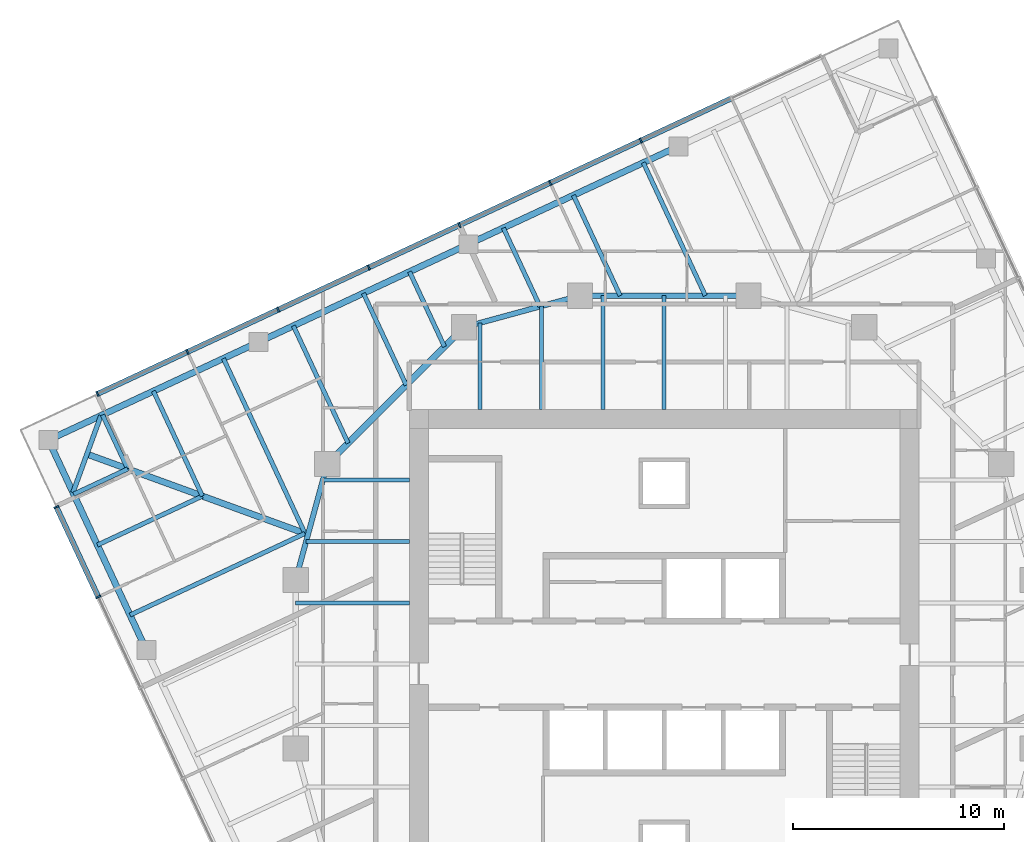
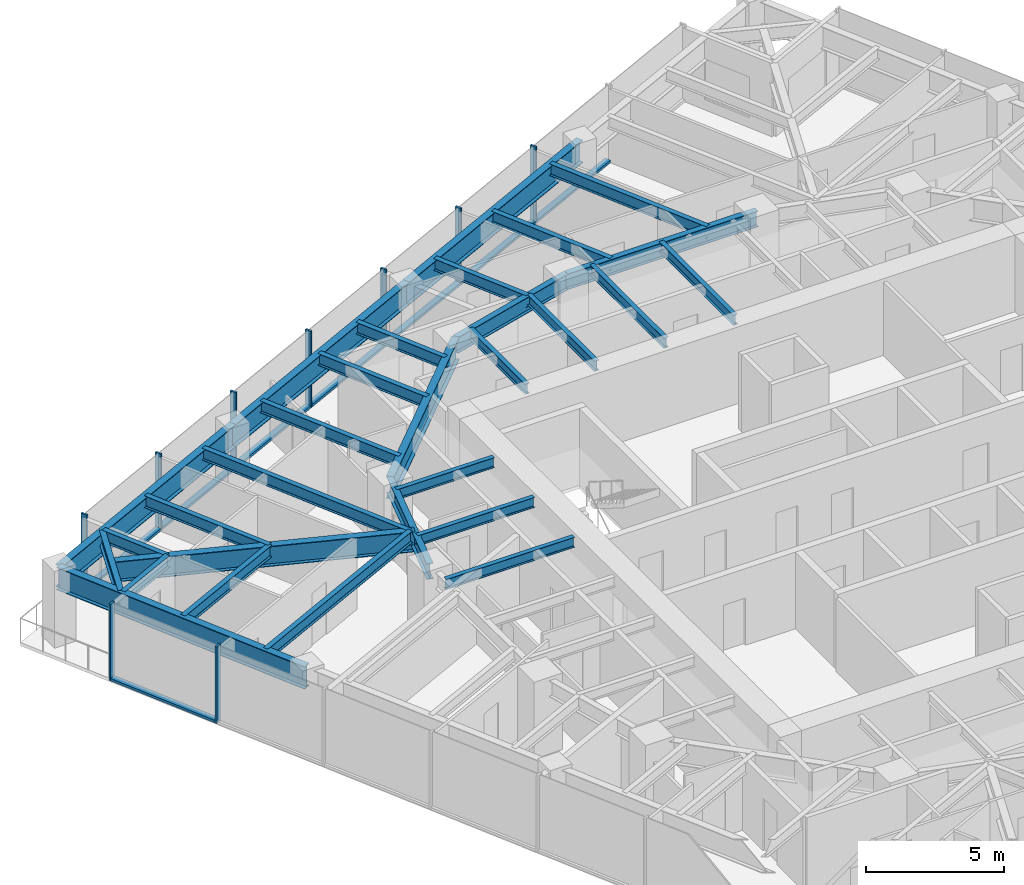
# One storey, part 4 of 12: 29 beams, 17 members, 2 elements without a shape of their own.
"""IFC4 building model written with IfcOpenShell, lengths in metres."""

from ifc_helpers import new_model, si_unit, direction, frame, origin, origin_2d, place, context, subcontext, project, spatial, rectangle, i_section, extrude, material, material_profile, profile_set, type_object, element, aggregate, save


model = new_model("IFC4")

# Units and contexts
model_context = context("Model", 3, precision=1e-05, world=origin(), true_north=direction((0.0, 1.0)))
body_context = subcontext(model_context, "Body", "Model", "MODEL_VIEW")
ifc_project = project(units=[si_unit("LENGTHUNIT", "METRE"), si_unit("AREAUNIT", "SQUARE_METRE"), si_unit("VOLUMEUNIT", "CUBIC_METRE"), si_unit("PLANEANGLEUNIT", "RADIAN"), si_unit("MASSUNIT", "GRAM", prefix="KILO")], contexts=[model_context])

# Site, building, storey
site_placement = place(None, origin())
site = spatial("IfcSite", under=ifc_project, at=site_placement, CompositionType="ELEMENT")
building_placement = place(site_placement, origin())
building = spatial("IfcBuilding", under=site, at=building_placement, Name="Torsade Residences", CompositionType="ELEMENT")
storey_placement = place(building_placement, frame((0.0, 0.0, 193.0)))
storey = spatial("IfcBuildingStorey", under=building, at=storey_placement, Name="L53", CompositionType="ELEMENT", Elevation=193.0)

# Beams
ifc_material_1 = material(Name="Steel grade 300", Category="steel")
ifc_material_profile_1 = material_profile(ifc_material_1, i_section(OverallWidth=0.300048828125, OverallDepth=0.89990234375, WebThickness=0.011962890625, FlangeThickness=0.02490234375, at=origin_2d()), Name="900WB175")
ifc_profile_set_1 = profile_set([ifc_material_profile_1], Name="Steel grade 300")
beam_type_1 = type_object("IfcBeamType", Name="CORNER GIRDER 900WB175", PredefinedType="BEAM", material=ifc_profile_set_1)
beam_1_placement = place(storey_placement, frame((12.5908203125, 39.97607421875, 2.800048828125), z_axis=(0.93969447651, -0.342015044723, 0.0), x_axis=(0.342015044723, 0.93969447651, 0.0)))
element("IfcBeam", 1, at=beam_1_placement, inside=storey, type_object=beam_type_1, Name="Corner girder 13 L54", PredefinedType="BEAM", context=body_context, shape_type="SweptSolid", body=[
    extrude(i_section(OverallWidth=0.300048828125, OverallDepth=0.89990234375, WebThickness=0.011962890625, FlangeThickness=0.02490234375, at=origin_2d()), origin(), (0.0, 0.0, 1.0), 11.170654296875),
])
ifc_material_2 = material(Name="Steel grade 300", Category="steel")
ifc_material_profile_2 = material_profile(ifc_material_2, i_section(OverallWidth=0.22802734375, OverallDepth=0.60205078125, WebThickness=0.010498046875, FlangeThickness=0.014892578125, FilletRadius=0.013916015625, at=origin_2d()), Name="610UB101")
ifc_profile_set_2 = profile_set([ifc_material_profile_2], Name="Steel grade 300")
beam_type_2 = type_object("IfcBeamType", Name="CORNER TRIMMER 610UB101", PredefinedType="BEAM", material=ifc_profile_set_2)
beam_2_placement = place(storey_placement, frame((11.92578125, 38.14892578125, 2.948974609375), z_axis=(0.342005152204, 0.939698076972, 0.0), x_axis=(-0.939698076972, 0.342005152204, 0.0)))
element("IfcBeam", 2, at=beam_2_placement, inside=storey, type_object=beam_type_2, Name="Corner trimmer 13 L54", PredefinedType="BEAM", context=body_context, shape_type="SweptSolid", body=[
    extrude(i_section(OverallWidth=0.22802734375, OverallDepth=0.60205078125, WebThickness=0.010498046875, FlangeThickness=0.014892578125, FilletRadius=0.013916015625, at=origin_2d()), origin(), (0.0, 0.0, 1.0), 3.88916015625),
])
ifc_material_3 = material(Name="Steel grade 300", Category="steel")
ifc_material_profile_3 = material_profile(ifc_material_3, i_section(OverallWidth=0.300048828125, OverallDepth=1.0, WebThickness=0.01611328125, FlangeThickness=0.028076171875, at=origin_2d()), Name="1000WB215")
ifc_profile_set_3 = profile_set([ifc_material_profile_3], Name="Steel grade 300")
beam_type_3 = type_object("IfcBeamType", Name="EDGE BEAM 1000WB215", PredefinedType="SPANDREL", material=ifc_profile_set_3)
beam_3_placement = place(storey_placement, frame((40.671875, 54.587646484375, 2.75), z_axis=(-0.906305009094, -0.422624219007, 0.0), x_axis=(0.422624219007, -0.906305009094, 0.0)))
element("IfcBeam", 3, at=beam_3_placement, inside=storey, type_object=beam_type_3, Name="Edge beam 10 L54", PredefinedType="SPANDREL", context=body_context, shape_type="SweptSolid", body=[
    extrude(i_section(OverallWidth=0.300048828125, OverallDepth=1.0, WebThickness=0.01611328125, FlangeThickness=0.028076171875, at=origin_2d()), origin(), (0.0, 0.0, 1.0), 11.000244140625),
])
for number, where, z_axis, x_axis, name in (
    (4, (30.702392578125, 49.938720703125, 2.75), (-0.906313510001, -0.422605988587, 0.0), (0.422605988587, -0.906313510001, 0.0), "Edge beam 11 L54"),
    (5, (20.73291015625, 45.2900390625, 2.75), (-0.90630104482, -0.422632720171, 0.0), (0.422632720171, -0.90630104482, 0.0), "Edge beam 12 L54"),
):
    element("IfcBeam", number, at=place(storey_placement, frame(where, z_axis=z_axis, x_axis=x_axis)), inside=storey, type_object=beam_type_3, Name=name, PredefinedType="SPANDREL", context=body_context, shape_type="SweptSolid", body=[
        extrude(i_section(OverallWidth=0.300048828125, OverallDepth=1.0, WebThickness=0.01611328125, FlangeThickness=0.028076171875, at=origin_2d()), origin(), (0.0, 0.0, 1.0), 11.0),
    ])
beam_4_placement = place(storey_placement, frame((10.763671875, 40.64111328125, 2.75), z_axis=(0.422614489543, -0.906309546032, 0.0), x_axis=(0.906309546032, 0.422614489543, 0.0)))
element("IfcBeam", 6, at=beam_4_placement, inside=storey, type_object=beam_type_3, Name="Edge beam 13 L54", PredefinedType="SPANDREL", context=body_context, shape_type="SweptSolid", body=[
    extrude(i_section(OverallWidth=0.300048828125, OverallDepth=1.0, WebThickness=0.01611328125, FlangeThickness=0.028076171875, at=origin_2d()), origin(), (0.0, 0.0, 1.0), 10.999755859375),
])
ifc_material_4 = material(Name="Steel grade 300", Category="steel")
ifc_material_profile_4 = material_profile(ifc_material_4, i_section(OverallWidth=0.18994140625, OverallDepth=0.4541015625, WebThickness=0.008544921875, FlangeThickness=0.0126953125, FilletRadius=0.011474609375, at=origin_2d()), Name="460UB67.1")
ifc_profile_set_4 = profile_set([ifc_material_profile_4], Name="Steel grade 300")
beam_type_4 = type_object("IfcBeamType", Name="INNER FLOOR BEAM 460UB67.1", PredefinedType="JOIST", material=ifc_profile_set_4)
beam_5_placement = place(storey_placement, frame((31.262451171875, 42.10009765625, 3.02294921875), z_axis=(0.0, 1.0, 0.0), x_axis=(-1.0, 0.0, 0.0)))
element("IfcBeam", 7, at=beam_5_placement, inside=storey, type_object=beam_type_4, Name="Inner floor beam IN01 L54", PredefinedType="JOIST", context=body_context, shape_type="SweptSolid", body=[
    extrude(i_section(OverallWidth=0.18994140625, OverallDepth=0.4541015625, WebThickness=0.008544921875, FlangeThickness=0.0126953125, FilletRadius=0.011474609375, at=origin_2d()), origin(), (0.0, 0.0, 1.0), 4.10791015625),
])
beam_6_placement = place(storey_placement, frame((34.175048828125, 42.10009765625, 3.02294921875), z_axis=(0.0, 1.0, 0.0), x_axis=(-1.0, 0.0, 0.0)))
element("IfcBeam", 8, at=beam_6_placement, inside=storey, type_object=beam_type_4, Name="Inner floor beam IN02 L54", PredefinedType="JOIST", context=body_context, shape_type="SweptSolid", body=[
    extrude(i_section(OverallWidth=0.18994140625, OverallDepth=0.4541015625, WebThickness=0.008544921875, FlangeThickness=0.0126953125, FilletRadius=0.011474609375, at=origin_2d()), origin(), (0.0, 0.0, 1.0), 4.902099609375),
])
for number, where, z_axis, x_axis, name in (
    (9, (37.08740234375, 42.10009765625, 3.02294921875), (0.0, 1.0, 0.0), (-1.0, 0.0, 0.0), "Inner floor beam IN03 L54"),
    (10, (40.0, 42.10009765625, 3.02294921875), (0.0, 1.0, 0.0), (-1.0, 0.0, 0.0), "Inner floor beam IN04 L54"),
):
    element("IfcBeam", number, at=place(storey_placement, frame(where, z_axis=z_axis, x_axis=x_axis)), inside=storey, type_object=beam_type_4, Name=name, PredefinedType="JOIST", context=body_context, shape_type="SweptSolid", body=[
        extrude(i_section(OverallWidth=0.18994140625, OverallDepth=0.4541015625, WebThickness=0.008544921875, FlangeThickness=0.0126953125, FilletRadius=0.011474609375, at=origin_2d()), origin(), (0.0, 0.0, 1.0), 5.39990234375),
    ])
beam_7_placement = place(storey_placement, frame((27.89990234375, 38.737548828125, 3.02294921875), z_axis=(-1.0, 0.0, 0.0), x_axis=(0.0, -1.0, 0.0)))
element("IfcBeam", 11, at=beam_7_placement, inside=storey, type_object=beam_type_4, Name="Inner floor beam IW01 L54", PredefinedType="JOIST", context=body_context, shape_type="SweptSolid", body=[
    extrude(i_section(OverallWidth=0.18994140625, OverallDepth=0.4541015625, WebThickness=0.008544921875, FlangeThickness=0.0126953125, FilletRadius=0.011474609375, at=origin_2d()), origin(), (0.0, 0.0, 1.0), 4.10791015625),
])
beam_8_placement = place(storey_placement, frame((27.89990234375, 35.824951171875, 3.02294921875), z_axis=(-1.0, 0.0, 0.0), x_axis=(0.0, -1.0, 0.0)))
element("IfcBeam", 12, at=beam_8_placement, inside=storey, type_object=beam_type_4, Name="Inner floor beam IW02 L54", PredefinedType="JOIST", context=body_context, shape_type="SweptSolid", body=[
    extrude(i_section(OverallWidth=0.18994140625, OverallDepth=0.4541015625, WebThickness=0.008544921875, FlangeThickness=0.0126953125, FilletRadius=0.011474609375, at=origin_2d()), origin(), (0.0, 0.0, 1.0), 4.902099609375),
])
beam_9_placement = place(storey_placement, frame((27.89990234375, 32.91259765625, 3.02294921875), z_axis=(-1.0, 0.0, 0.0), x_axis=(0.0, -1.0, 0.0)))
element("IfcBeam", 13, at=beam_9_placement, inside=storey, type_object=beam_type_4, Name="Inner floor beam IW03 L54", PredefinedType="JOIST", context=body_context, shape_type="SweptSolid", body=[
    extrude(i_section(OverallWidth=0.18994140625, OverallDepth=0.4541015625, WebThickness=0.008544921875, FlangeThickness=0.0126953125, FilletRadius=0.011474609375, at=origin_2d()), origin(), (0.0, 0.0, 1.0), 5.39990234375),
])

# Curtain wall, members
ifc_material_5 = material(Name="Aluminium and glass", Category="aluminium")
curtain_wall_type = type_object("IfcCurtainWallType", Name="FRITTED GLASS CURTAIN WALL MID ZONE", PredefinedType="NOTDEFINED", material=ifc_material_5)
curtain_wall_1_placement = place(storey_placement, origin())
curtain_wall_1 = element("IfcCurtainWall", 14, at=curtain_wall_1_placement, inside=storey, type_object=curtain_wall_type, Name="Curtain wall L53 face 7", PredefinedType="NOTDEFINED")
ifc_material_6 = material(Name="Aluminium mullion", Category="aluminium")
ifc_material_profile_5 = material_profile(ifc_material_6, rectangle(XDim=0.25, YDim=0.080078125, at=origin_2d()), Name="MID ZONE CURTAIN WALL MULLION 250x80")
ifc_profile_set_5 = profile_set([ifc_material_profile_5], Name="Aluminium mullion")
member_type_1 = type_object("IfcMemberType", Name="MID ZONE CURTAIN WALL MULLION 250x80", PredefinedType="MULLION", material=ifc_profile_set_5)
member_1_placement = place(storey_placement, frame((38.8896484375, 54.85986328125, 0.0), z_axis=(0.0, 0.0, 1.0), x_axis=(0.422618261978, -0.906307786926, 0.0)))
member_1 = element("IfcMember", 15, at=member_1_placement, type_object=member_type_1, Name="Mullion 3", PredefinedType="MULLION", context=body_context, shape_type="SweptSolid", body=[
    extrude(rectangle(XDim=0.25, YDim=0.080078125, at=origin_2d()), origin(), (0.0, 0.0, 1.0), 3.39990234375),
])
member_2_placement = place(storey_placement, frame((34.584716796875, 52.8525390625, 0.0), z_axis=(0.0, 0.0, 1.0), x_axis=(0.422618261978, -0.906307786926, 0.0)))
member_2 = element("IfcMember", 16, at=member_2_placement, type_object=member_type_1, Name="Mullion 4", PredefinedType="MULLION", context=body_context, shape_type="SweptSolid", body=[
    extrude(rectangle(XDim=0.25, YDim=0.080078125, at=origin_2d()), origin(), (0.0, 0.0, 1.0), 3.39990234375),
])
member_3_placement = place(storey_placement, frame((30.27978515625, 50.844970703125, 0.0), z_axis=(0.0, 0.0, 1.0), x_axis=(0.422618261978, -0.906307786926, 0.0)))
member_3 = element("IfcMember", 17, at=member_3_placement, type_object=member_type_1, Name="Mullion 5", PredefinedType="MULLION", context=body_context, shape_type="SweptSolid", body=[
    extrude(rectangle(XDim=0.25, YDim=0.080078125, at=origin_2d()), origin(), (0.0, 0.0, 1.0), 3.39990234375),
])
member_4_placement = place(storey_placement, frame((25.974853515625, 48.837646484375, 0.0), z_axis=(0.0, 0.0, 1.0), x_axis=(0.422618261978, -0.906307786926, 0.0)))
member_4 = element("IfcMember", 18, at=member_4_placement, type_object=member_type_1, Name="Mullion 6", PredefinedType="MULLION", context=body_context, shape_type="SweptSolid", body=[
    extrude(rectangle(XDim=0.25, YDim=0.080078125, at=origin_2d()), origin(), (0.0, 0.0, 1.0), 3.39990234375),
])
member_5_placement = place(storey_placement, frame((21.669921875, 46.830322265625, 0.0), z_axis=(0.0, 0.0, 1.0), x_axis=(0.422618261978, -0.906307786926, 0.0)))
member_5 = element("IfcMember", 19, at=member_5_placement, type_object=member_type_1, Name="Mullion 7", PredefinedType="MULLION", context=body_context, shape_type="SweptSolid", body=[
    extrude(rectangle(XDim=0.25, YDim=0.080078125, at=origin_2d()), origin(), (0.0, 0.0, 1.0), 3.39990234375),
])
member_6_placement = place(storey_placement, frame((17.364990234375, 44.82275390625, 0.0), z_axis=(0.0, 0.0, 1.0), x_axis=(0.422618261978, -0.906307786926, 0.0)))
member_6 = element("IfcMember", 20, at=member_6_placement, type_object=member_type_1, Name="Mullion 8", PredefinedType="MULLION", context=body_context, shape_type="SweptSolid", body=[
    extrude(rectangle(XDim=0.25, YDim=0.080078125, at=origin_2d()), origin(), (0.0, 0.0, 1.0), 3.39990234375),
])
member_7_placement = place(storey_placement, frame((13.09619140625, 42.832275390625, 0.0), z_axis=(0.0, 0.0, 1.0), x_axis=(0.422618261978, -0.906307786926, 0.0)))
member_7 = element("IfcMember", 21, at=member_7_placement, type_object=member_type_1, Name="Mullion 9", PredefinedType="MULLION", context=body_context, shape_type="SweptSolid", body=[
    extrude(rectangle(XDim=0.25, YDim=0.080078125, at=origin_2d()), origin(), (0.0, 0.0, 1.0), 3.39990234375),
])

curtain_wall_2_placement = place(storey_placement, origin())
curtain_wall_2 = element("IfcCurtainWall", 22, at=curtain_wall_2_placement, inside=storey, type_object=curtain_wall_type, Name="Curtain wall L53 face 10", PredefinedType="NOTDEFINED")
member_8_placement = place(storey_placement, frame((11.14208984375, 37.46337890625, 0.0), z_axis=(0.0, 0.0, 1.0), x_axis=(0.906307786926, 0.422618261978, 0.0)))
member_8 = element("IfcMember", 23, at=member_8_placement, type_object=member_type_1, Name="Mullion 1", PredefinedType="MULLION", context=body_context, shape_type="SweptSolid", body=[
    extrude(rectangle(XDim=0.25, YDim=0.080078125, at=origin_2d()), origin(), (0.0, 0.0, 1.0), 3.39990234375),
])
member_9_placement = place(storey_placement, frame((13.132568359375, 33.194580078125, 0.0), z_axis=(0.0, 0.0, 1.0), x_axis=(0.906307786926, 0.422618261978, 0.0)))
member_9 = element("IfcMember", 24, at=member_9_placement, type_object=member_type_1, Name="Mullion 2", PredefinedType="MULLION", context=body_context, shape_type="SweptSolid", body=[
    extrude(rectangle(XDim=0.25, YDim=0.080078125, at=origin_2d()), origin(), (0.0, 0.0, 1.0), 3.39990234375),
])

# Member
ifc_material_7 = material(Name="Aluminium transom", Category="aluminium")
ifc_material_profile_6 = material_profile(ifc_material_7, rectangle(XDim=0.25, YDim=0.110107421875, at=origin_2d()), Name="MID ZONE CURTAIN WALL TRANSOM 250x110")
ifc_profile_set_6 = profile_set([ifc_material_profile_6], Name="Aluminium transom")
member_type_2 = type_object("IfcMemberType", Name="MID ZONE CURTAIN WALL TRANSOM 250x110", PredefinedType="USERDEFINED", material=ifc_profile_set_6)
member_10_placement = place(storey_placement, frame((43.158447265625, 56.8505859375, 0.054931640625), z_axis=(-0.906305976097, -0.422622145291, 0.0), x_axis=(0.422622145291, -0.906305976097, 0.0)))
member_10 = element("IfcMember", 25, at=member_10_placement, type_object=member_type_2, Name="Transom 2.1", ObjectType="TRANSOM", PredefinedType="USERDEFINED", context=body_context, shape_type="SweptSolid", body=[
    extrude(rectangle(XDim=0.25, YDim=0.110107421875, at=origin_2d()), origin(), (0.0, 0.0, 1.0), 4.669921875),
])

member_11_placement = place(storey_placement, frame((38.853515625, 54.843017578125, 0.054931640625), z_axis=(-0.906305976097, -0.422622145291, 0.0), x_axis=(0.422622145291, -0.906305976097, 0.0)))
member_11 = element("IfcMember", 26, at=member_11_placement, type_object=member_type_2, Name="Transom 3.1", ObjectType="TRANSOM", PredefinedType="USERDEFINED", context=body_context, shape_type="SweptSolid", body=[
    extrude(rectangle(XDim=0.25, YDim=0.110107421875, at=origin_2d()), origin(), (0.0, 0.0, 1.0), 4.669921875),
])

member_12_placement = place(storey_placement, frame((34.548583984375, 52.835693359375, 0.054931640625), z_axis=(-0.90631531293, -0.422602122035, 0.0), x_axis=(0.422602122035, -0.90631531293, 0.0)))
member_12 = element("IfcMember", 27, at=member_12_placement, type_object=member_type_2, Name="Transom 4.1", ObjectType="TRANSOM", PredefinedType="USERDEFINED", context=body_context, shape_type="SweptSolid", body=[
    extrude(rectangle(XDim=0.25, YDim=0.110107421875, at=origin_2d()), origin(), (0.0, 0.0, 1.0), 4.670166015625),
])

member_13_placement = place(storey_placement, frame((30.243408203125, 50.828125, 0.054931640625), z_axis=(-0.906305976097, -0.422622145291, 0.0), x_axis=(0.422622145291, -0.906305976097, 0.0)))
member_13 = element("IfcMember", 28, at=member_13_placement, type_object=member_type_2, Name="Transom 5.1", ObjectType="TRANSOM", PredefinedType="USERDEFINED", context=body_context, shape_type="SweptSolid", body=[
    extrude(rectangle(XDim=0.25, YDim=0.110107421875, at=origin_2d()), origin(), (0.0, 0.0, 1.0), 4.669921875),
])

member_14_placement = place(storey_placement, frame((25.9384765625, 48.82080078125, 0.054931640625), z_axis=(-0.906305976097, -0.422622145291, 0.0), x_axis=(0.422622145291, -0.906305976097, 0.0)))
member_14 = element("IfcMember", 29, at=member_14_placement, type_object=member_type_2, Name="Transom 6.1", ObjectType="TRANSOM", PredefinedType="USERDEFINED", context=body_context, shape_type="SweptSolid", body=[
    extrude(rectangle(XDim=0.25, YDim=0.110107421875, at=origin_2d()), origin(), (0.0, 0.0, 1.0), 4.669921875),
])

member_15_placement = place(storey_placement, frame((21.633544921875, 46.813232421875, 0.054931640625), z_axis=(-0.906305976097, -0.422622145291, 0.0), x_axis=(0.422622145291, -0.906305976097, 0.0)))
member_15 = element("IfcMember", 30, at=member_15_placement, type_object=member_type_2, Name="Transom 7.1", ObjectType="TRANSOM", PredefinedType="USERDEFINED", context=body_context, shape_type="SweptSolid", body=[
    extrude(rectangle(XDim=0.25, YDim=0.110107421875, at=origin_2d()), origin(), (0.0, 0.0, 1.0), 4.669921875),
])

member_16_placement = place(storey_placement, frame((17.32861328125, 44.805908203125, 0.054931640625), z_axis=(-0.906305687176, -0.422622764878, 0.0), x_axis=(0.422622764878, -0.906305687176, 0.0)))
member_16 = element("IfcMember", 31, at=member_16_placement, type_object=member_type_2, Name="Transom 8.1", ObjectType="TRANSOM", PredefinedType="USERDEFINED", context=body_context, shape_type="SweptSolid", body=[
    extrude(rectangle(XDim=0.25, YDim=0.110107421875, at=origin_2d()), origin(), (0.0, 0.0, 1.0), 4.630126953125),
])

aggregate(curtain_wall_1, [member_1, member_2, member_3, member_4, member_5, member_6, member_7, member_10, member_11, member_12, member_13, member_14, member_15, member_16])

member_17_placement = place(storey_placement, frame((11.158935546875, 37.427001953125, 0.054931640625), z_axis=(0.422642962277, -0.906296268578, 0.0), x_axis=(0.906296268578, 0.422642962277, 0.0)))
member_17 = element("IfcMember", 32, at=member_17_placement, type_object=member_type_2, Name="Transom 1.1", ObjectType="TRANSOM", PredefinedType="USERDEFINED", context=body_context, shape_type="SweptSolid", body=[
    extrude(rectangle(XDim=0.25, YDim=0.110107421875, at=origin_2d()), origin(), (0.0, 0.0, 1.0), 4.6298828125),
])

aggregate(curtain_wall_2, [member_8, member_9, member_17])

# Beams
ifc_material_8 = material(Name="Steel grade 300", Category="steel")
ifc_material_profile_7 = material_profile(ifc_material_8, i_section(OverallWidth=0.300048828125, OverallDepth=1.0, WebThickness=0.01611328125, FlangeThickness=0.028076171875, at=origin_2d()), Name="1000WB215")
ifc_profile_set_7 = profile_set([ifc_material_profile_7], Name="Steel grade 300")
beam_type_5 = type_object("IfcBeamType", Name="RING CORNER GIRDER 1000WB215", PredefinedType="BEAM", material=ifc_profile_set_7)
beam_10_placement = place(storey_placement, frame((30.5, 46.0, 2.75), z_axis=(-0.707106781187, -0.707106781187, 0.0), x_axis=(0.707106781187, -0.707106781187, 0.0)))
element("IfcBeam", 33, at=beam_10_placement, inside=storey, type_object=beam_type_5, Name="Ring girder IR07 L54", PredefinedType="BEAM", context=body_context, shape_type="SweptSolid", body=[
    extrude(i_section(OverallWidth=0.300048828125, OverallDepth=1.0, WebThickness=0.01611328125, FlangeThickness=0.028076171875, at=origin_2d()), origin(), (0.0, 0.0, 1.0), 9.1923828125),
])
ifc_material_9 = material(Name="Steel grade 300", Category="steel")
ifc_material_profile_8 = material_profile(ifc_material_9, i_section(OverallWidth=0.25, OverallDepth=0.699951171875, WebThickness=0.010009765625, FlangeThickness=0.02001953125, at=origin_2d()), Name="700WB130")
ifc_profile_set_8 = profile_set([ifc_material_profile_8], Name="Steel grade 300")
beam_type_6 = type_object("IfcBeamType", Name="RING GIRDER 700WB130", PredefinedType="BEAM", material=ifc_profile_set_8)
beam_11_placement = place(storey_placement, frame((44.0, 47.5, 2.89990234375), z_axis=(-1.0, 0.0, 0.0), x_axis=(0.0, -1.0, 0.0)))
element("IfcBeam", 34, at=beam_11_placement, inside=storey, type_object=beam_type_6, Name="Ring girder IR05 L54", PredefinedType="BEAM", context=body_context, shape_type="SweptSolid", body=[
    extrude(i_section(OverallWidth=0.25, OverallDepth=0.699951171875, WebThickness=0.010009765625, FlangeThickness=0.02001953125, at=origin_2d()), origin(), (0.0, 0.0, 1.0), 8.0),
])
for number, where, z_axis, x_axis, name in (
    (35, (36.0, 47.5, 2.89990234375), (-0.964763821238, -0.263117405792, 0.0), (0.263117405792, -0.964763821238, 0.0), "Ring girder IR06 L54"),
    (36, (24.0, 39.5, 2.89990234375), (-0.263117405792, -0.964763821238, 0.0), (0.964763821238, -0.263117405792, 0.0), "Ring girder IR08 L54"),
):
    element("IfcBeam", number, at=place(storey_placement, frame(where, z_axis=z_axis, x_axis=x_axis)), inside=storey, type_object=beam_type_6, Name=name, PredefinedType="BEAM", context=body_context, shape_type="SweptSolid", body=[
        extrude(i_section(OverallWidth=0.25, OverallDepth=0.699951171875, WebThickness=0.010009765625, FlangeThickness=0.02001953125, at=origin_2d()), origin(), (0.0, 0.0, 1.0), 5.700927734375),
    ])
ifc_material_10 = material(Name="Steel grade 300", Category="steel")
ifc_material_profile_9 = material_profile(ifc_material_10, i_section(OverallWidth=0.208984375, OverallDepth=0.528076171875, WebThickness=0.009521484375, FlangeThickness=0.01318359375, FilletRadius=0.013916015625, at=origin_2d()), Name="530UB82.0")
ifc_profile_set_9 = profile_set([ifc_material_profile_9], Name="Steel grade 300")
beam_type_7 = type_object("IfcBeamType", Name="SECONDARY BEAM 530UB82.0", PredefinedType="JOIST", material=ifc_profile_set_9)
beam_12_placement = place(storey_placement, frame((39.01025390625, 53.812744140625, 2.986083984375), z_axis=(0.422609131726, -0.906312044376, 0.0), x_axis=(0.906312044376, 0.422609131726, 0.0)))
element("IfcBeam", 37, at=beam_12_placement, inside=storey, type_object=beam_type_7, Name="Floor beam FN04 L54", PredefinedType="JOIST", context=body_context, shape_type="SweptSolid", body=[
    extrude(i_section(OverallWidth=0.208984375, OverallDepth=0.528076171875, WebThickness=0.009521484375, FlangeThickness=0.01318359375, FilletRadius=0.013916015625, at=origin_2d()), origin(), (0.0, 0.0, 1.0), 6.96533203125),
])
beam_13_placement = place(storey_placement, frame((35.68701171875, 52.26318359375, 2.986083984375), z_axis=(0.422631142882, -0.90630178035, 0.0), x_axis=(0.90630178035, 0.422631142882, 0.0)))
element("IfcBeam", 38, at=beam_13_placement, inside=storey, type_object=beam_type_7, Name="Floor beam FN05 L54", PredefinedType="JOIST", context=body_context, shape_type="SweptSolid", body=[
    extrude(i_section(OverallWidth=0.208984375, OverallDepth=0.528076171875, WebThickness=0.009521484375, FlangeThickness=0.01318359375, FilletRadius=0.013916015625, at=origin_2d()), origin(), (0.0, 0.0, 1.0), 5.255615234375),
])
beam_14_placement = place(storey_placement, frame((32.364013671875, 50.713623046875, 2.986083984375), z_axis=(0.422635442612, -0.906299775267, 0.0), x_axis=(0.906299775267, 0.422635442612, 0.0)))
element("IfcBeam", 39, at=beam_14_placement, inside=storey, type_object=beam_type_7, Name="Floor beam FN06 L54", PredefinedType="JOIST", context=body_context, shape_type="SweptSolid", body=[
    extrude(i_section(OverallWidth=0.208984375, OverallDepth=0.528076171875, WebThickness=0.009521484375, FlangeThickness=0.01318359375, FilletRadius=0.013916015625, at=origin_2d()), origin(), (0.0, 0.0, 1.0), 4.116455078125),
])
beam_15_placement = place(storey_placement, frame((27.907958984375, 48.6357421875, 2.986083984375), z_axis=(0.422644222818, -0.906295680735, 0.0), x_axis=(0.906295680735, 0.422644222818, 0.0)))
element("IfcBeam", 40, at=beam_15_placement, inside=storey, type_object=beam_type_7, Name="Floor beam FN07 L54", PredefinedType="JOIST", context=body_context, shape_type="SweptSolid", body=[
    extrude(i_section(OverallWidth=0.208984375, OverallDepth=0.528076171875, WebThickness=0.009521484375, FlangeThickness=0.01318359375, FilletRadius=0.013916015625, at=origin_2d()), origin(), (0.0, 0.0, 1.0), 3.933837890625),
])
beam_16_placement = place(storey_placement, frame((25.7177734375, 47.6142578125, 2.986083984375), z_axis=(0.422618876857, -0.906307500203, 0.0), x_axis=(0.906307500203, 0.422618876857, 0.0)))
element("IfcBeam", 41, at=beam_16_placement, inside=storey, type_object=beam_type_7, Name="Floor beam FN08 L54", PredefinedType="JOIST", context=body_context, shape_type="SweptSolid", body=[
    extrude(i_section(OverallWidth=0.208984375, OverallDepth=0.528076171875, WebThickness=0.009521484375, FlangeThickness=0.01318359375, FilletRadius=0.013916015625, at=origin_2d()), origin(), (0.0, 0.0, 1.0), 4.813232421875),
])
beam_17_placement = place(storey_placement, frame((22.39453125, 46.064697265625, 2.986083984375), z_axis=(0.42264848683, -0.906293692233, 0.0), x_axis=(0.906293692233, 0.42264848683, 0.0)))
element("IfcBeam", 42, at=beam_17_placement, inside=storey, type_object=beam_type_7, Name="Floor beam FN09 L54", PredefinedType="JOIST", context=body_context, shape_type="SweptSolid", body=[
    extrude(i_section(OverallWidth=0.208984375, OverallDepth=0.528076171875, WebThickness=0.009521484375, FlangeThickness=0.01318359375, FilletRadius=0.013916015625, at=origin_2d()), origin(), (0.0, 0.0, 1.0), 6.14794921875),
])
beam_18_placement = place(storey_placement, frame((19.071533203125, 44.51513671875, 2.986083984375), z_axis=(0.422618627092, -0.90630761667, 0.0), x_axis=(0.90630761667, 0.422618627092, 0.0)))
element("IfcBeam", 43, at=beam_18_placement, inside=storey, type_object=beam_type_7, Name="Floor beam FN10 L54", PredefinedType="JOIST", context=body_context, shape_type="SweptSolid", body=[
    extrude(i_section(OverallWidth=0.208984375, OverallDepth=0.528076171875, WebThickness=0.009521484375, FlangeThickness=0.01318359375, FilletRadius=0.013916015625, at=origin_2d()), origin(), (0.0, 0.0, 1.0), 9.166748046875),
])
beam_19_placement = place(storey_placement, frame((15.748291015625, 42.965576171875, 2.986083984375), z_axis=(0.422632720171, -0.90630104482, 0.0), x_axis=(0.90630104482, 0.422632720171, 0.0)))
element("IfcBeam", 44, at=beam_19_placement, inside=storey, type_object=beam_type_7, Name="Floor beam FN11 L54", PredefinedType="JOIST", context=body_context, shape_type="SweptSolid", body=[
    extrude(i_section(OverallWidth=0.208984375, OverallDepth=0.528076171875, WebThickness=0.009521484375, FlangeThickness=0.01318359375, FilletRadius=0.013916015625, at=origin_2d()), origin(), (0.0, 0.0, 1.0), 5.5),
])
for number, where, z_axis, x_axis, name in (
    (45, (13.33154296875, 41.838623046875, 2.986083984375), (0.42257409885, -0.906328379221, 0.0), (0.906328379221, 0.42257409885, 0.0), "Floor beam FN12 L54"),
    (46, (11.9609375, 38.0732421875, 2.986083984375), (0.906295375613, 0.422644877104, 0.0), (-0.422644877104, 0.906295375613, 0.0), "Floor beam FW01 L54"),
):
    element("IfcBeam", number, at=place(storey_placement, frame(where, z_axis=z_axis, x_axis=x_axis)), inside=storey, type_object=beam_type_7, Name=name, PredefinedType="JOIST", context=body_context, shape_type="SweptSolid", body=[
        extrude(i_section(OverallWidth=0.208984375, OverallDepth=0.528076171875, WebThickness=0.009521484375, FlangeThickness=0.01318359375, FilletRadius=0.013916015625, at=origin_2d()), origin(), (0.0, 0.0, 1.0), 2.833251953125),
    ])
beam_20_placement = place(storey_placement, frame((13.088134765625, 35.656494140625, 2.986083984375), z_axis=(0.90630104482, 0.422632720171, 0.0), x_axis=(-0.422632720171, 0.90630104482, 0.0)))
element("IfcBeam", 47, at=beam_20_placement, inside=storey, type_object=beam_type_7, Name="Floor beam FW02 L54", PredefinedType="JOIST", context=body_context, shape_type="SweptSolid", body=[
    extrude(i_section(OverallWidth=0.208984375, OverallDepth=0.528076171875, WebThickness=0.009521484375, FlangeThickness=0.01318359375, FilletRadius=0.013916015625, at=origin_2d()), origin(), (0.0, 0.0, 1.0), 5.5),
])
beam_21_placement = place(storey_placement, frame((14.6376953125, 32.333251953125, 2.986083984375), z_axis=(0.90630761667, 0.422618627092, 0.0), x_axis=(-0.422618627092, 0.90630761667, 0.0)))
element("IfcBeam", 48, at=beam_21_placement, inside=storey, type_object=beam_type_7, Name="Floor beam FW03 L54", PredefinedType="JOIST", context=body_context, shape_type="SweptSolid", body=[
    extrude(i_section(OverallWidth=0.208984375, OverallDepth=0.528076171875, WebThickness=0.009521484375, FlangeThickness=0.01318359375, FilletRadius=0.013916015625, at=origin_2d()), origin(), (0.0, 0.0, 1.0), 9.166748046875),
])

save(model, "model.ifc")
